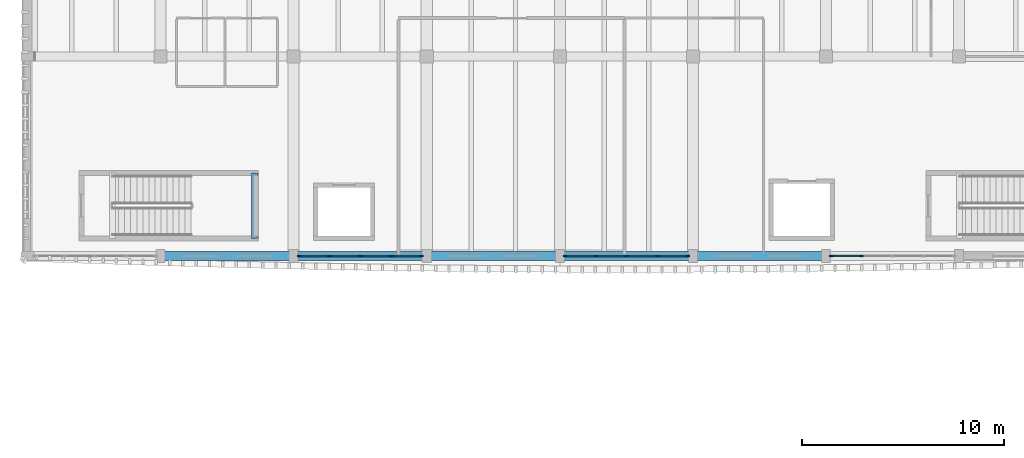
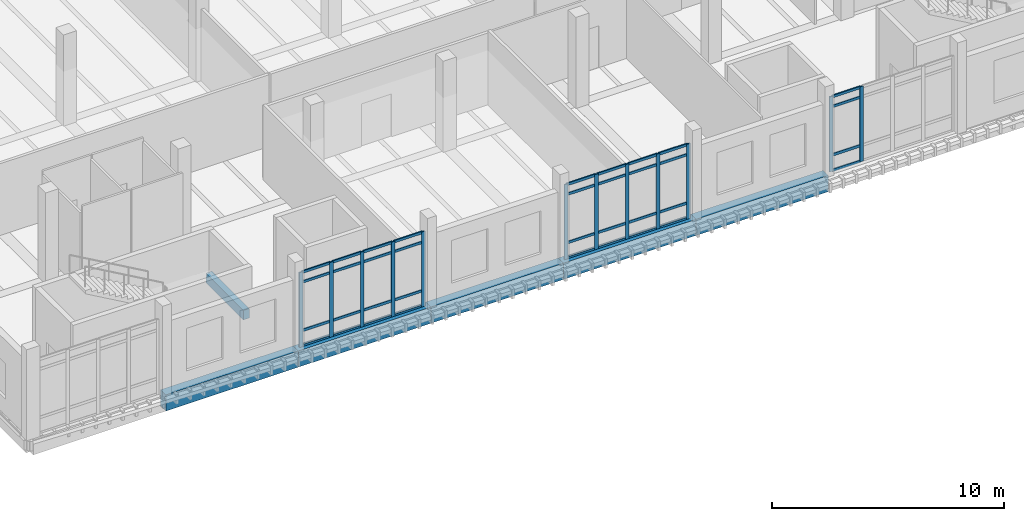
# One storey, part 28 of 76: 48 members, 6 beams, 3 elements without a shape of their own.
"""IFC4 building model written with IfcOpenShell, lengths in metres."""

from ifc_helpers import new_model, si_unit, direction, frame, origin, origin_2d, place, context, subcontext, project, spatial, rectangle, extrude, material, material_profile, profile_set, type_object, element, aggregate, save


model = new_model("IFC4")

# Units and contexts
model_context = context("Model", 3, precision=1e-05, world=origin(), true_north=direction((0.0, 1.0)))
body_context = subcontext(model_context, "Body", "Model", "MODEL_VIEW")
ifc_project = project(units=[si_unit("LENGTHUNIT", "METRE"), si_unit("AREAUNIT", "SQUARE_METRE"), si_unit("VOLUMEUNIT", "CUBIC_METRE"), si_unit("PLANEANGLEUNIT", "RADIAN"), si_unit("MASSUNIT", "GRAM", prefix="KILO")], contexts=[model_context])

# Site, building, storey
site_placement = place(None, origin())
site = spatial("IfcSite", under=ifc_project, at=site_placement, CompositionType="ELEMENT")
building_placement = place(site_placement, origin())
building = spatial("IfcBuilding", under=site, at=building_placement, Name="Dornvale Research Institute", CompositionType="ELEMENT")
storey_placement = place(building_placement, frame((0.0, 0.0, 15.0)))
storey = spatial("IfcBuildingStorey", under=building, at=storey_placement, Name="L03", CompositionType="ELEMENT", Elevation=15.0)

# Beam
ifc_material_1 = material(Name="Concrete f'c 45 MPa (C35/45)", Category="concrete")
ifc_material_profile_1 = material_profile(ifc_material_1, rectangle(XDim=0.300048828125, YDim=0.5, at=origin_2d()), Name="RC 300x500")
ifc_profile_set_1 = profile_set([ifc_material_profile_1], Name="Concrete f'c 45 MPa (C35/45)")
beam_type_1 = type_object("IfcBeamType", Name="Beam_RC300x500_Trim", PredefinedType="BEAM", material=ifc_profile_set_1)
beam_1_placement = place(storey_placement, frame((130.050048828125, 93.280029296875, 1.949951171875), z_axis=(0.0, 1.0, 0.0), x_axis=(-1.0, 0.0, 0.0)))
element("IfcBeam", 1, at=beam_1_placement, inside=storey, type_object=beam_type_1, Name="L03 ST-3 half-landing support beam #59", PredefinedType="BEAM", context=body_context, shape_type="SweptSolid", body=[
    extrude(rectangle(XDim=0.300048828125, YDim=0.5, at=origin_2d()), origin(), (0.0, 0.0, 1.0), 3.239990234375),
])

# Curtain wall, members
ifc_material_2 = material(Name="Low-E Argon Double Insulating Glazing Unit", Category="glass")
curtain_wall_type = type_object("IfcCurtainWallType", Name="UnitisedCurtainWall_V4_6150x3950", PredefinedType="USERDEFINED", material=ifc_material_2)
curtain_wall_1_placement = place(storey_placement, origin())
curtain_wall_1 = element("IfcCurtainWall", 2, at=curtain_wall_1_placement, inside=storey, type_object=curtain_wall_type, Name="L03 V4 unitised curtain wall CW-15 #96", ObjectType="UNITISED CURTAIN WALL", PredefinedType="USERDEFINED")
ifc_material_3 = material(Name="Anodized Aluminum AA 6063-T6 Thermally Broken Frame", Category="aluminium")
ifc_material_profile_2 = material_profile(ifc_material_3, rectangle(XDim=0.06494140625, YDim=0.179931640625, at=origin_2d()), Name="ALU MULLION 65x180")
ifc_profile_set_2 = profile_set([ifc_material_profile_2], Name="Anodized Aluminum AA 6063-T6 Thermally Broken Frame")
member_type_1 = type_object("IfcMemberType", Name="Mullion_CW_65x180", PredefinedType="MULLION", material=ifc_profile_set_2)
member_1_placement = place(storey_placement, frame((160.16259765625, 92.39990234375, 0.0), z_axis=(0.0, 0.0, 1.0), x_axis=(0.0, -1.0, 0.0)))
member_1 = element("IfcMember", 3, at=member_1_placement, type_object=member_type_1, Name="CW-15 mullion 4", PredefinedType="MULLION", context=body_context, shape_type="SweptSolid", body=[
    extrude(rectangle(XDim=0.06494140625, YDim=0.179931640625, at=origin_2d()), origin(), (0.0, 0.0, 1.0), 3.949951171875),
])
member_2_placement = place(storey_placement, frame((158.657470703125, 92.39990234375, 0.0), z_axis=(0.0, 0.0, 1.0), x_axis=(0.0, -1.0, 0.0)))
member_2 = element("IfcMember", 4, at=member_2_placement, type_object=member_type_1, Name="CW-15 mullion 5", PredefinedType="MULLION", context=body_context, shape_type="SweptSolid", body=[
    extrude(rectangle(XDim=0.06494140625, YDim=0.179931640625, at=origin_2d()), origin(), (0.0, 0.0, 1.0), 3.949951171875),
])

curtain_wall_2_placement = place(storey_placement, origin())
curtain_wall_2 = element("IfcCurtainWall", 5, at=curtain_wall_2_placement, inside=storey, type_object=curtain_wall_type, Name="L03 V4 unitised curtain wall CW-15 #97", ObjectType="UNITISED CURTAIN WALL", PredefinedType="USERDEFINED")
member_3_placement = place(storey_placement, frame((151.54248046875, 92.39990234375, 0.0), z_axis=(0.0, 0.0, 1.0), x_axis=(0.0, -1.0, 0.0)))
member_3 = element("IfcMember", 6, at=member_3_placement, type_object=member_type_1, Name="CW-15 mullion 1", PredefinedType="MULLION", context=body_context, shape_type="SweptSolid", body=[
    extrude(rectangle(XDim=0.06494140625, YDim=0.179931640625, at=origin_2d()), origin(), (0.0, 0.0, 1.0), 3.949951171875),
])
member_4_placement = place(storey_placement, frame((150.03759765625, 92.39990234375, 0.0), z_axis=(0.0, 0.0, 1.0), x_axis=(0.0, -1.0, 0.0)))
member_4 = element("IfcMember", 7, at=member_4_placement, type_object=member_type_1, Name="CW-15 mullion 2", PredefinedType="MULLION", context=body_context, shape_type="SweptSolid", body=[
    extrude(rectangle(XDim=0.06494140625, YDim=0.179931640625, at=origin_2d()), origin(), (0.0, 0.0, 1.0), 3.949951171875),
])
member_5_placement = place(storey_placement, frame((148.5, 92.39990234375, 0.0), z_axis=(0.0, 0.0, 1.0), x_axis=(0.0, -1.0, 0.0)))
member_5 = element("IfcMember", 8, at=member_5_placement, type_object=member_type_1, Name="CW-15 mullion 3", PredefinedType="MULLION", context=body_context, shape_type="SweptSolid", body=[
    extrude(rectangle(XDim=0.06494140625, YDim=0.179931640625, at=origin_2d()), origin(), (0.0, 0.0, 1.0), 3.949951171875),
])
member_6_placement = place(storey_placement, frame((146.96240234375, 92.39990234375, 0.0), z_axis=(0.0, 0.0, 1.0), x_axis=(0.0, -1.0, 0.0)))
member_6 = element("IfcMember", 9, at=member_6_placement, type_object=member_type_1, Name="CW-15 mullion 4", PredefinedType="MULLION", context=body_context, shape_type="SweptSolid", body=[
    extrude(rectangle(XDim=0.06494140625, YDim=0.179931640625, at=origin_2d()), origin(), (0.0, 0.0, 1.0), 3.949951171875),
])
member_7_placement = place(storey_placement, frame((145.45751953125, 92.39990234375, 0.0), z_axis=(0.0, 0.0, 1.0), x_axis=(0.0, -1.0, 0.0)))
member_7 = element("IfcMember", 10, at=member_7_placement, type_object=member_type_1, Name="CW-15 mullion 5", PredefinedType="MULLION", context=body_context, shape_type="SweptSolid", body=[
    extrude(rectangle(XDim=0.06494140625, YDim=0.179931640625, at=origin_2d()), origin(), (0.0, 0.0, 1.0), 3.949951171875),
])

curtain_wall_3_placement = place(storey_placement, origin())
curtain_wall_3 = element("IfcCurtainWall", 11, at=curtain_wall_3_placement, inside=storey, type_object=curtain_wall_type, Name="L03 V4 unitised curtain wall CW-15 #98", ObjectType="UNITISED CURTAIN WALL", PredefinedType="USERDEFINED")
member_8_placement = place(storey_placement, frame((138.342529296875, 92.39990234375, 0.0), z_axis=(0.0, 0.0, 1.0), x_axis=(0.0, -1.0, 0.0)))
member_8 = element("IfcMember", 12, at=member_8_placement, type_object=member_type_1, Name="CW-15 mullion 1", PredefinedType="MULLION", context=body_context, shape_type="SweptSolid", body=[
    extrude(rectangle(XDim=0.06494140625, YDim=0.179931640625, at=origin_2d()), origin(), (0.0, 0.0, 1.0), 3.949951171875),
])
member_9_placement = place(storey_placement, frame((136.83740234375, 92.39990234375, 0.0), z_axis=(0.0, 0.0, 1.0), x_axis=(0.0, -1.0, 0.0)))
member_9 = element("IfcMember", 13, at=member_9_placement, type_object=member_type_1, Name="CW-15 mullion 2", PredefinedType="MULLION", context=body_context, shape_type="SweptSolid", body=[
    extrude(rectangle(XDim=0.06494140625, YDim=0.179931640625, at=origin_2d()), origin(), (0.0, 0.0, 1.0), 3.949951171875),
])
member_10_placement = place(storey_placement, frame((135.300048828125, 92.39990234375, 0.0), z_axis=(0.0, 0.0, 1.0), x_axis=(0.0, -1.0, 0.0)))
member_10 = element("IfcMember", 14, at=member_10_placement, type_object=member_type_1, Name="CW-15 mullion 3", PredefinedType="MULLION", context=body_context, shape_type="SweptSolid", body=[
    extrude(rectangle(XDim=0.06494140625, YDim=0.179931640625, at=origin_2d()), origin(), (0.0, 0.0, 1.0), 3.949951171875),
])
member_11_placement = place(storey_placement, frame((133.762451171875, 92.39990234375, 0.0), z_axis=(0.0, 0.0, 1.0), x_axis=(0.0, -1.0, 0.0)))
member_11 = element("IfcMember", 15, at=member_11_placement, type_object=member_type_1, Name="CW-15 mullion 4", PredefinedType="MULLION", context=body_context, shape_type="SweptSolid", body=[
    extrude(rectangle(XDim=0.06494140625, YDim=0.179931640625, at=origin_2d()), origin(), (0.0, 0.0, 1.0), 3.949951171875),
])
member_12_placement = place(storey_placement, frame((132.257568359375, 92.39990234375, 0.0), z_axis=(0.0, 0.0, 1.0), x_axis=(0.0, -1.0, 0.0)))
member_12 = element("IfcMember", 16, at=member_12_placement, type_object=member_type_1, Name="CW-15 mullion 5", PredefinedType="MULLION", context=body_context, shape_type="SweptSolid", body=[
    extrude(rectangle(XDim=0.06494140625, YDim=0.179931640625, at=origin_2d()), origin(), (0.0, 0.0, 1.0), 3.949951171875),
])

# Beams
ifc_material_4 = material(Name="Concrete f'c 45 MPa (C35/45)", Category="concrete")
ifc_material_profile_3 = material_profile(ifc_material_4, rectangle(XDim=0.449951171875, YDim=0.85009765625, at=origin_2d()), Name="RC 450x850")
ifc_profile_set_3 = profile_set([ifc_material_profile_3], Name="Concrete f'c 45 MPa (C35/45)")
beam_type_2 = type_object("IfcBeamType", Name="Spandrel_RC450x850_Ext", PredefinedType="SPANDREL", material=ifc_profile_set_3)
for number, where, z_axis, x_axis, name in (
    (17, (125.39990234375, 92.39990234375, -0.425048828125), (1.0, 0.0, 0.0), (0.0, 1.0, 0.0), "L03 perimeter spandrel #917"),
    (18, (132.0, 92.39990234375, -0.425048828125), (1.0, 0.0, 0.0), (0.0, 1.0, 0.0), "L03 perimeter spandrel #918"),
):
    element("IfcBeam", number, at=place(storey_placement, frame(where, z_axis=z_axis, x_axis=x_axis)), inside=storey, type_object=beam_type_2, Name=name, PredefinedType="SPANDREL", context=body_context, shape_type="SweptSolid", body=[
        extrude(rectangle(XDim=0.449951171875, YDim=0.85009765625, at=origin_2d()), origin(), (0.0, 0.0, 1.0), 6.60009765625),
    ])
beam_2_placement = place(storey_placement, frame((138.60009765625, 92.39990234375, -0.425048828125), z_axis=(1.0, 0.0, 0.0), x_axis=(0.0, 1.0, 0.0)))
element("IfcBeam", 19, at=beam_2_placement, inside=storey, type_object=beam_type_2, Name="L03 perimeter spandrel #919", PredefinedType="SPANDREL", context=body_context, shape_type="SweptSolid", body=[
    extrude(rectangle(XDim=0.449951171875, YDim=0.85009765625, at=origin_2d()), origin(), (0.0, 0.0, 1.0), 6.599853515625),
])
beam_3_placement = place(storey_placement, frame((145.199951171875, 92.39990234375, -0.425048828125), z_axis=(1.0, 0.0, 0.0), x_axis=(0.0, 1.0, 0.0)))
element("IfcBeam", 20, at=beam_3_placement, inside=storey, type_object=beam_type_2, Name="L03 perimeter spandrel #920", PredefinedType="SPANDREL", context=body_context, shape_type="SweptSolid", body=[
    extrude(rectangle(XDim=0.449951171875, YDim=0.85009765625, at=origin_2d()), origin(), (0.0, 0.0, 1.0), 6.60009765625),
])
beam_4_placement = place(storey_placement, frame((151.800048828125, 92.39990234375, -0.425048828125), z_axis=(1.0, 0.0, 0.0), x_axis=(0.0, 1.0, 0.0)))
element("IfcBeam", 21, at=beam_4_placement, inside=storey, type_object=beam_type_2, Name="L03 perimeter spandrel #921", PredefinedType="SPANDREL", context=body_context, shape_type="SweptSolid", body=[
    extrude(rectangle(XDim=0.449951171875, YDim=0.85009765625, at=origin_2d()), origin(), (0.0, 0.0, 1.0), 6.599853515625),
])

# Member
ifc_material_5 = material(Name="Anodized Aluminum AA 6063-T6 Thermally Broken Frame", Category="aluminium")
ifc_material_profile_4 = material_profile(ifc_material_5, rectangle(XDim=0.06494140625, YDim=0.135009765625, at=origin_2d()), Name="ALU TRANSOM 65x135")
ifc_profile_set_4 = profile_set([ifc_material_profile_4], Name="Anodized Aluminum AA 6063-T6 Thermally Broken Frame")
member_type_2 = type_object("IfcMemberType", Name="Transom_CW_65x135", PredefinedType="USERDEFINED", material=ifc_profile_set_4)
member_13_placement = place(storey_placement, frame((160.1298828125, 92.39990234375, 0.032470703125), z_axis=(-1.0, 0.0, 0.0), x_axis=(0.0, -1.0, 0.0)))
member_13 = element("IfcMember", 22, at=member_13_placement, type_object=member_type_2, Name="CW-15 transom 4.1", ObjectType="TRANSOM", PredefinedType="USERDEFINED", context=body_context, shape_type="SweptSolid", body=[
    extrude(rectangle(XDim=0.06494140625, YDim=0.135009765625, at=origin_2d()), origin(), (0.0, 0.0, 1.0), 1.43994140625),
])

member_14_placement = place(storey_placement, frame((160.1298828125, 92.39990234375, 0.85009765625), z_axis=(-1.0, 0.0, 0.0), x_axis=(0.0, -1.0, 0.0)))
member_14 = element("IfcMember", 23, at=member_14_placement, type_object=member_type_2, Name="CW-15 transom 4.2", ObjectType="TRANSOM", PredefinedType="USERDEFINED", context=body_context, shape_type="SweptSolid", body=[
    extrude(rectangle(XDim=0.06494140625, YDim=0.135009765625, at=origin_2d()), origin(), (0.0, 0.0, 1.0), 1.43994140625),
])

member_15_placement = place(storey_placement, frame((160.1298828125, 92.39990234375, 3.39990234375), z_axis=(-1.0, 0.0, 0.0), x_axis=(0.0, -1.0, 0.0)))
member_15 = element("IfcMember", 24, at=member_15_placement, type_object=member_type_2, Name="CW-15 transom 4.3", ObjectType="TRANSOM", PredefinedType="USERDEFINED", context=body_context, shape_type="SweptSolid", body=[
    extrude(rectangle(XDim=0.06494140625, YDim=0.135009765625, at=origin_2d()), origin(), (0.0, 0.0, 1.0), 1.43994140625),
])

member_16_placement = place(storey_placement, frame((160.1298828125, 92.39990234375, 3.91748046875), z_axis=(-1.0, 0.0, 0.0), x_axis=(0.0, -1.0, 0.0)))
member_16 = element("IfcMember", 25, at=member_16_placement, type_object=member_type_2, Name="CW-15 transom 4.4", ObjectType="TRANSOM", PredefinedType="USERDEFINED", context=body_context, shape_type="SweptSolid", body=[
    extrude(rectangle(XDim=0.06494140625, YDim=0.135009765625, at=origin_2d()), origin(), (0.0, 0.0, 1.0), 1.43994140625),
])

aggregate(curtain_wall_1, [member_1, member_2, member_13, member_14, member_15, member_16])

member_17_placement = place(storey_placement, frame((151.510009765625, 92.39990234375, 0.032470703125), z_axis=(-1.0, 0.0, 0.0), x_axis=(0.0, -1.0, 0.0)))
member_17 = element("IfcMember", 26, at=member_17_placement, type_object=member_type_2, Name="CW-15 transom 1.1", ObjectType="TRANSOM", PredefinedType="USERDEFINED", context=body_context, shape_type="SweptSolid", body=[
    extrude(rectangle(XDim=0.06494140625, YDim=0.135009765625, at=origin_2d()), origin(), (0.0, 0.0, 1.0), 1.43994140625),
])

member_18_placement = place(storey_placement, frame((151.510009765625, 92.39990234375, 0.85009765625), z_axis=(-1.0, 0.0, 0.0), x_axis=(0.0, -1.0, 0.0)))
member_18 = element("IfcMember", 27, at=member_18_placement, type_object=member_type_2, Name="CW-15 transom 1.2", ObjectType="TRANSOM", PredefinedType="USERDEFINED", context=body_context, shape_type="SweptSolid", body=[
    extrude(rectangle(XDim=0.06494140625, YDim=0.135009765625, at=origin_2d()), origin(), (0.0, 0.0, 1.0), 1.43994140625),
])

member_19_placement = place(storey_placement, frame((151.510009765625, 92.39990234375, 3.39990234375), z_axis=(-1.0, 0.0, 0.0), x_axis=(0.0, -1.0, 0.0)))
member_19 = element("IfcMember", 28, at=member_19_placement, type_object=member_type_2, Name="CW-15 transom 1.3", ObjectType="TRANSOM", PredefinedType="USERDEFINED", context=body_context, shape_type="SweptSolid", body=[
    extrude(rectangle(XDim=0.06494140625, YDim=0.135009765625, at=origin_2d()), origin(), (0.0, 0.0, 1.0), 1.43994140625),
])

member_20_placement = place(storey_placement, frame((151.510009765625, 92.39990234375, 3.91748046875), z_axis=(-1.0, 0.0, 0.0), x_axis=(0.0, -1.0, 0.0)))
member_20 = element("IfcMember", 29, at=member_20_placement, type_object=member_type_2, Name="CW-15 transom 1.4", ObjectType="TRANSOM", PredefinedType="USERDEFINED", context=body_context, shape_type="SweptSolid", body=[
    extrude(rectangle(XDim=0.06494140625, YDim=0.135009765625, at=origin_2d()), origin(), (0.0, 0.0, 1.0), 1.43994140625),
])

member_21_placement = place(storey_placement, frame((150.0048828125, 92.39990234375, 0.032470703125), z_axis=(-1.0, 0.0, 0.0), x_axis=(0.0, -1.0, 0.0)))
member_21 = element("IfcMember", 30, at=member_21_placement, type_object=member_type_2, Name="CW-15 transom 2.1", ObjectType="TRANSOM", PredefinedType="USERDEFINED", context=body_context, shape_type="SweptSolid", body=[
    extrude(rectangle(XDim=0.06494140625, YDim=0.135009765625, at=origin_2d()), origin(), (0.0, 0.0, 1.0), 1.472412109375),
])

member_22_placement = place(storey_placement, frame((150.0048828125, 92.39990234375, 0.85009765625), z_axis=(-1.0, 0.0, 0.0), x_axis=(0.0, -1.0, 0.0)))
member_22 = element("IfcMember", 31, at=member_22_placement, type_object=member_type_2, Name="CW-15 transom 2.2", ObjectType="TRANSOM", PredefinedType="USERDEFINED", context=body_context, shape_type="SweptSolid", body=[
    extrude(rectangle(XDim=0.06494140625, YDim=0.135009765625, at=origin_2d()), origin(), (0.0, 0.0, 1.0), 1.472412109375),
])

member_23_placement = place(storey_placement, frame((150.0048828125, 92.39990234375, 3.39990234375), z_axis=(-1.0, 0.0, 0.0), x_axis=(0.0, -1.0, 0.0)))
member_23 = element("IfcMember", 32, at=member_23_placement, type_object=member_type_2, Name="CW-15 transom 2.3", ObjectType="TRANSOM", PredefinedType="USERDEFINED", context=body_context, shape_type="SweptSolid", body=[
    extrude(rectangle(XDim=0.06494140625, YDim=0.135009765625, at=origin_2d()), origin(), (0.0, 0.0, 1.0), 1.472412109375),
])

member_24_placement = place(storey_placement, frame((150.0048828125, 92.39990234375, 3.91748046875), z_axis=(-1.0, 0.0, 0.0), x_axis=(0.0, -1.0, 0.0)))
member_24 = element("IfcMember", 33, at=member_24_placement, type_object=member_type_2, Name="CW-15 transom 2.4", ObjectType="TRANSOM", PredefinedType="USERDEFINED", context=body_context, shape_type="SweptSolid", body=[
    extrude(rectangle(XDim=0.06494140625, YDim=0.135009765625, at=origin_2d()), origin(), (0.0, 0.0, 1.0), 1.472412109375),
])

member_25_placement = place(storey_placement, frame((148.467529296875, 92.39990234375, 0.032470703125), z_axis=(-1.0, 0.0, 0.0), x_axis=(0.0, -1.0, 0.0)))
member_25 = element("IfcMember", 34, at=member_25_placement, type_object=member_type_2, Name="CW-15 transom 3.1", ObjectType="TRANSOM", PredefinedType="USERDEFINED", context=body_context, shape_type="SweptSolid", body=[
    extrude(rectangle(XDim=0.06494140625, YDim=0.135009765625, at=origin_2d()), origin(), (0.0, 0.0, 1.0), 1.472412109375),
])

member_26_placement = place(storey_placement, frame((148.467529296875, 92.39990234375, 0.85009765625), z_axis=(-1.0, 0.0, 0.0), x_axis=(0.0, -1.0, 0.0)))
member_26 = element("IfcMember", 35, at=member_26_placement, type_object=member_type_2, Name="CW-15 transom 3.2", ObjectType="TRANSOM", PredefinedType="USERDEFINED", context=body_context, shape_type="SweptSolid", body=[
    extrude(rectangle(XDim=0.06494140625, YDim=0.135009765625, at=origin_2d()), origin(), (0.0, 0.0, 1.0), 1.472412109375),
])

member_27_placement = place(storey_placement, frame((148.467529296875, 92.39990234375, 3.39990234375), z_axis=(-1.0, 0.0, 0.0), x_axis=(0.0, -1.0, 0.0)))
member_27 = element("IfcMember", 36, at=member_27_placement, type_object=member_type_2, Name="CW-15 transom 3.3", ObjectType="TRANSOM", PredefinedType="USERDEFINED", context=body_context, shape_type="SweptSolid", body=[
    extrude(rectangle(XDim=0.06494140625, YDim=0.135009765625, at=origin_2d()), origin(), (0.0, 0.0, 1.0), 1.472412109375),
])

member_28_placement = place(storey_placement, frame((148.467529296875, 92.39990234375, 3.91748046875), z_axis=(-1.0, 0.0, 0.0), x_axis=(0.0, -1.0, 0.0)))
member_28 = element("IfcMember", 37, at=member_28_placement, type_object=member_type_2, Name="CW-15 transom 3.4", ObjectType="TRANSOM", PredefinedType="USERDEFINED", context=body_context, shape_type="SweptSolid", body=[
    extrude(rectangle(XDim=0.06494140625, YDim=0.135009765625, at=origin_2d()), origin(), (0.0, 0.0, 1.0), 1.472412109375),
])

member_29_placement = place(storey_placement, frame((146.929931640625, 92.39990234375, 0.032470703125), z_axis=(-1.0, 0.0, 0.0), x_axis=(0.0, -1.0, 0.0)))
member_29 = element("IfcMember", 38, at=member_29_placement, type_object=member_type_2, Name="CW-15 transom 4.1", ObjectType="TRANSOM", PredefinedType="USERDEFINED", context=body_context, shape_type="SweptSolid", body=[
    extrude(rectangle(XDim=0.06494140625, YDim=0.135009765625, at=origin_2d()), origin(), (0.0, 0.0, 1.0), 1.43994140625),
])

member_30_placement = place(storey_placement, frame((146.929931640625, 92.39990234375, 0.85009765625), z_axis=(-1.0, 0.0, 0.0), x_axis=(0.0, -1.0, 0.0)))
member_30 = element("IfcMember", 39, at=member_30_placement, type_object=member_type_2, Name="CW-15 transom 4.2", ObjectType="TRANSOM", PredefinedType="USERDEFINED", context=body_context, shape_type="SweptSolid", body=[
    extrude(rectangle(XDim=0.06494140625, YDim=0.135009765625, at=origin_2d()), origin(), (0.0, 0.0, 1.0), 1.43994140625),
])

member_31_placement = place(storey_placement, frame((146.929931640625, 92.39990234375, 3.39990234375), z_axis=(-1.0, 0.0, 0.0), x_axis=(0.0, -1.0, 0.0)))
member_31 = element("IfcMember", 40, at=member_31_placement, type_object=member_type_2, Name="CW-15 transom 4.3", ObjectType="TRANSOM", PredefinedType="USERDEFINED", context=body_context, shape_type="SweptSolid", body=[
    extrude(rectangle(XDim=0.06494140625, YDim=0.135009765625, at=origin_2d()), origin(), (0.0, 0.0, 1.0), 1.43994140625),
])

member_32_placement = place(storey_placement, frame((146.929931640625, 92.39990234375, 3.91748046875), z_axis=(-1.0, 0.0, 0.0), x_axis=(0.0, -1.0, 0.0)))
member_32 = element("IfcMember", 41, at=member_32_placement, type_object=member_type_2, Name="CW-15 transom 4.4", ObjectType="TRANSOM", PredefinedType="USERDEFINED", context=body_context, shape_type="SweptSolid", body=[
    extrude(rectangle(XDim=0.06494140625, YDim=0.135009765625, at=origin_2d()), origin(), (0.0, 0.0, 1.0), 1.43994140625),
])

aggregate(curtain_wall_2, [member_3, member_4, member_5, member_6, member_7, member_17, member_18, member_19, member_20, member_21, member_22, member_23, member_24, member_25, member_26, member_27, member_28, member_29, member_30, member_31, member_32])

member_33_placement = place(storey_placement, frame((138.31005859375, 92.39990234375, 0.032470703125), z_axis=(-1.0, 0.0, 0.0), x_axis=(0.0, -1.0, 0.0)))
member_33 = element("IfcMember", 42, at=member_33_placement, type_object=member_type_2, Name="CW-15 transom 1.1", ObjectType="TRANSOM", PredefinedType="USERDEFINED", context=body_context, shape_type="SweptSolid", body=[
    extrude(rectangle(XDim=0.06494140625, YDim=0.135009765625, at=origin_2d()), origin(), (0.0, 0.0, 1.0), 1.43994140625),
])

member_34_placement = place(storey_placement, frame((138.31005859375, 92.39990234375, 0.85009765625), z_axis=(-1.0, 0.0, 0.0), x_axis=(0.0, -1.0, 0.0)))
member_34 = element("IfcMember", 43, at=member_34_placement, type_object=member_type_2, Name="CW-15 transom 1.2", ObjectType="TRANSOM", PredefinedType="USERDEFINED", context=body_context, shape_type="SweptSolid", body=[
    extrude(rectangle(XDim=0.06494140625, YDim=0.135009765625, at=origin_2d()), origin(), (0.0, 0.0, 1.0), 1.43994140625),
])

member_35_placement = place(storey_placement, frame((138.31005859375, 92.39990234375, 3.39990234375), z_axis=(-1.0, 0.0, 0.0), x_axis=(0.0, -1.0, 0.0)))
member_35 = element("IfcMember", 44, at=member_35_placement, type_object=member_type_2, Name="CW-15 transom 1.3", ObjectType="TRANSOM", PredefinedType="USERDEFINED", context=body_context, shape_type="SweptSolid", body=[
    extrude(rectangle(XDim=0.06494140625, YDim=0.135009765625, at=origin_2d()), origin(), (0.0, 0.0, 1.0), 1.43994140625),
])

member_36_placement = place(storey_placement, frame((138.31005859375, 92.39990234375, 3.91748046875), z_axis=(-1.0, 0.0, 0.0), x_axis=(0.0, -1.0, 0.0)))
member_36 = element("IfcMember", 45, at=member_36_placement, type_object=member_type_2, Name="CW-15 transom 1.4", ObjectType="TRANSOM", PredefinedType="USERDEFINED", context=body_context, shape_type="SweptSolid", body=[
    extrude(rectangle(XDim=0.06494140625, YDim=0.135009765625, at=origin_2d()), origin(), (0.0, 0.0, 1.0), 1.43994140625),
])

member_37_placement = place(storey_placement, frame((136.804931640625, 92.39990234375, 0.032470703125), z_axis=(-1.0, 0.0, 0.0), x_axis=(0.0, -1.0, 0.0)))
member_37 = element("IfcMember", 46, at=member_37_placement, type_object=member_type_2, Name="CW-15 transom 2.1", ObjectType="TRANSOM", PredefinedType="USERDEFINED", context=body_context, shape_type="SweptSolid", body=[
    extrude(rectangle(XDim=0.06494140625, YDim=0.135009765625, at=origin_2d()), origin(), (0.0, 0.0, 1.0), 1.472412109375),
])

member_38_placement = place(storey_placement, frame((136.804931640625, 92.39990234375, 0.85009765625), z_axis=(-1.0, 0.0, 0.0), x_axis=(0.0, -1.0, 0.0)))
member_38 = element("IfcMember", 47, at=member_38_placement, type_object=member_type_2, Name="CW-15 transom 2.2", ObjectType="TRANSOM", PredefinedType="USERDEFINED", context=body_context, shape_type="SweptSolid", body=[
    extrude(rectangle(XDim=0.06494140625, YDim=0.135009765625, at=origin_2d()), origin(), (0.0, 0.0, 1.0), 1.472412109375),
])

member_39_placement = place(storey_placement, frame((136.804931640625, 92.39990234375, 3.39990234375), z_axis=(-1.0, 0.0, 0.0), x_axis=(0.0, -1.0, 0.0)))
member_39 = element("IfcMember", 48, at=member_39_placement, type_object=member_type_2, Name="CW-15 transom 2.3", ObjectType="TRANSOM", PredefinedType="USERDEFINED", context=body_context, shape_type="SweptSolid", body=[
    extrude(rectangle(XDim=0.06494140625, YDim=0.135009765625, at=origin_2d()), origin(), (0.0, 0.0, 1.0), 1.472412109375),
])

member_40_placement = place(storey_placement, frame((136.804931640625, 92.39990234375, 3.91748046875), z_axis=(-1.0, 0.0, 0.0), x_axis=(0.0, -1.0, 0.0)))
member_40 = element("IfcMember", 49, at=member_40_placement, type_object=member_type_2, Name="CW-15 transom 2.4", ObjectType="TRANSOM", PredefinedType="USERDEFINED", context=body_context, shape_type="SweptSolid", body=[
    extrude(rectangle(XDim=0.06494140625, YDim=0.135009765625, at=origin_2d()), origin(), (0.0, 0.0, 1.0), 1.472412109375),
])

member_41_placement = place(storey_placement, frame((135.267578125, 92.39990234375, 0.032470703125), z_axis=(-1.0, 0.0, 0.0), x_axis=(0.0, -1.0, 0.0)))
member_41 = element("IfcMember", 50, at=member_41_placement, type_object=member_type_2, Name="CW-15 transom 3.1", ObjectType="TRANSOM", PredefinedType="USERDEFINED", context=body_context, shape_type="SweptSolid", body=[
    extrude(rectangle(XDim=0.06494140625, YDim=0.135009765625, at=origin_2d()), origin(), (0.0, 0.0, 1.0), 1.47265625),
])

member_42_placement = place(storey_placement, frame((135.267578125, 92.39990234375, 0.85009765625), z_axis=(-1.0, 0.0, 0.0), x_axis=(0.0, -1.0, 0.0)))
member_42 = element("IfcMember", 51, at=member_42_placement, type_object=member_type_2, Name="CW-15 transom 3.2", ObjectType="TRANSOM", PredefinedType="USERDEFINED", context=body_context, shape_type="SweptSolid", body=[
    extrude(rectangle(XDim=0.06494140625, YDim=0.135009765625, at=origin_2d()), origin(), (0.0, 0.0, 1.0), 1.47265625),
])

member_43_placement = place(storey_placement, frame((135.267578125, 92.39990234375, 3.39990234375), z_axis=(-1.0, 0.0, 0.0), x_axis=(0.0, -1.0, 0.0)))
member_43 = element("IfcMember", 52, at=member_43_placement, type_object=member_type_2, Name="CW-15 transom 3.3", ObjectType="TRANSOM", PredefinedType="USERDEFINED", context=body_context, shape_type="SweptSolid", body=[
    extrude(rectangle(XDim=0.06494140625, YDim=0.135009765625, at=origin_2d()), origin(), (0.0, 0.0, 1.0), 1.47265625),
])

member_44_placement = place(storey_placement, frame((135.267578125, 92.39990234375, 3.91748046875), z_axis=(-1.0, 0.0, 0.0), x_axis=(0.0, -1.0, 0.0)))
member_44 = element("IfcMember", 53, at=member_44_placement, type_object=member_type_2, Name="CW-15 transom 3.4", ObjectType="TRANSOM", PredefinedType="USERDEFINED", context=body_context, shape_type="SweptSolid", body=[
    extrude(rectangle(XDim=0.06494140625, YDim=0.135009765625, at=origin_2d()), origin(), (0.0, 0.0, 1.0), 1.47265625),
])

member_45_placement = place(storey_placement, frame((133.72998046875, 92.39990234375, 0.032470703125), z_axis=(-1.0, 0.0, 0.0), x_axis=(0.0, -1.0, 0.0)))
member_45 = element("IfcMember", 54, at=member_45_placement, type_object=member_type_2, Name="CW-15 transom 4.1", ObjectType="TRANSOM", PredefinedType="USERDEFINED", context=body_context, shape_type="SweptSolid", body=[
    extrude(rectangle(XDim=0.06494140625, YDim=0.135009765625, at=origin_2d()), origin(), (0.0, 0.0, 1.0), 1.43994140625),
])

member_46_placement = place(storey_placement, frame((133.72998046875, 92.39990234375, 0.85009765625), z_axis=(-1.0, 0.0, 0.0), x_axis=(0.0, -1.0, 0.0)))
member_46 = element("IfcMember", 55, at=member_46_placement, type_object=member_type_2, Name="CW-15 transom 4.2", ObjectType="TRANSOM", PredefinedType="USERDEFINED", context=body_context, shape_type="SweptSolid", body=[
    extrude(rectangle(XDim=0.06494140625, YDim=0.135009765625, at=origin_2d()), origin(), (0.0, 0.0, 1.0), 1.43994140625),
])

member_47_placement = place(storey_placement, frame((133.72998046875, 92.39990234375, 3.39990234375), z_axis=(-1.0, 0.0, 0.0), x_axis=(0.0, -1.0, 0.0)))
member_47 = element("IfcMember", 56, at=member_47_placement, type_object=member_type_2, Name="CW-15 transom 4.3", ObjectType="TRANSOM", PredefinedType="USERDEFINED", context=body_context, shape_type="SweptSolid", body=[
    extrude(rectangle(XDim=0.06494140625, YDim=0.135009765625, at=origin_2d()), origin(), (0.0, 0.0, 1.0), 1.43994140625),
])

member_48_placement = place(storey_placement, frame((133.72998046875, 92.39990234375, 3.91748046875), z_axis=(-1.0, 0.0, 0.0), x_axis=(0.0, -1.0, 0.0)))
member_48 = element("IfcMember", 57, at=member_48_placement, type_object=member_type_2, Name="CW-15 transom 4.4", ObjectType="TRANSOM", PredefinedType="USERDEFINED", context=body_context, shape_type="SweptSolid", body=[
    extrude(rectangle(XDim=0.06494140625, YDim=0.135009765625, at=origin_2d()), origin(), (0.0, 0.0, 1.0), 1.43994140625),
])

aggregate(curtain_wall_3, [member_8, member_9, member_10, member_11, member_12, member_33, member_34, member_35, member_36, member_37, member_38, member_39, member_40, member_41, member_42, member_43, member_44, member_45, member_46, member_47, member_48])

save(model, "model.ifc")
